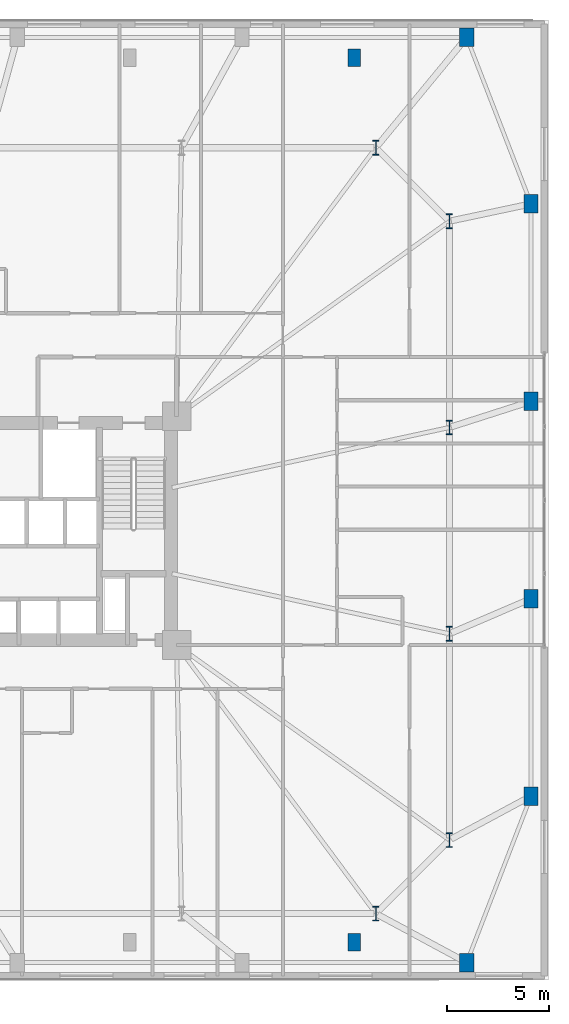
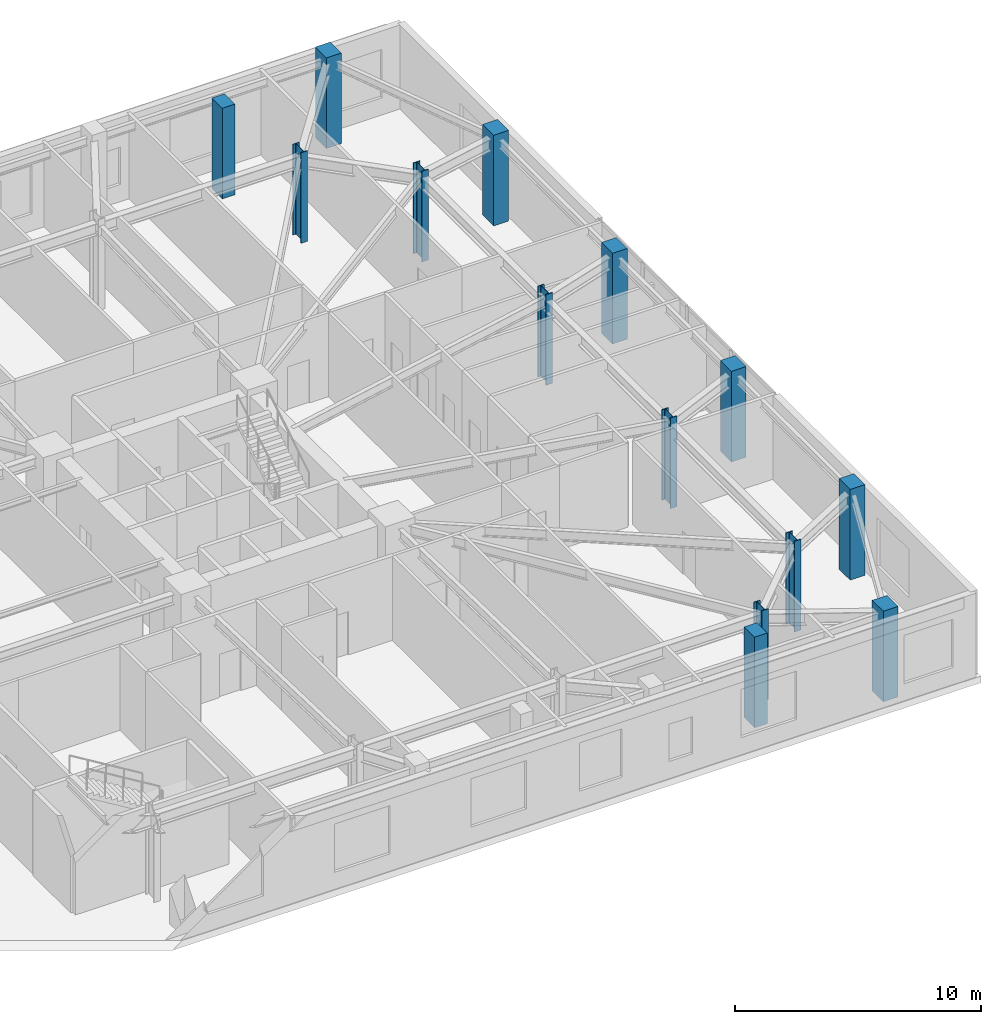
# One storey, part 3 of 21: 14 columns.
"""IFC4 building model written with IfcOpenShell, lengths in metres."""

from ifc_helpers import new_model, si_unit, direction, frame, origin, origin_2d, place, context, subcontext, project, spatial, rectangle, i_section, extrude, material, material_profile, profile_set, type_object, element, save


model = new_model("IFC4")

# Units and contexts
model_context = context("Model", 3, precision=1e-05, world=origin(), true_north=direction((0.0, 1.0)))
body_context = subcontext(model_context, "Body", "Model", "MODEL_VIEW")
ifc_project = project(units=[si_unit("LENGTHUNIT", "METRE"), si_unit("AREAUNIT", "SQUARE_METRE"), si_unit("VOLUMEUNIT", "CUBIC_METRE"), si_unit("PLANEANGLEUNIT", "RADIAN"), si_unit("MASSUNIT", "GRAM", prefix="KILO")], contexts=[model_context])

# Site, building, storey
site_placement = place(None, origin())
site = spatial("IfcSite", under=ifc_project, at=site_placement, CompositionType="ELEMENT")
building_placement = place(site_placement, origin())
building = spatial("IfcBuilding", under=site, at=building_placement, Name="Qobustan Lattice House", CompositionType="ELEMENT")
storey_placement = place(building_placement, frame((0.0, 0.0, 18.0)))
storey = spatial("IfcBuildingStorey", under=building, at=storey_placement, Name="L04", CompositionType="ELEMENT", Elevation=18.0)

# Columns
ifc_material_1 = material(Name="Concrete C50/60", Category="concrete")
ifc_material_profile_1 = material_profile(ifc_material_1, rectangle(XDim=0.60009765625, YDim=0.85009765625, at=origin_2d()), Name="RC600x850")
ifc_profile_set_1 = profile_set([ifc_material_profile_1], Name="Concrete C50/60")
column_type_1 = type_object("IfcColumnType", Name="COL-PIL-600x850", PredefinedType="PILASTER", material=ifc_profile_set_1)
for number, where, z_axis, x_axis, name in (
    (1, (27.5, -20.14990234375, 0.0), (0.0, 0.0, 1.0), (1.0, 0.0, 0.0), "L04 colonnade pilaster S4"),
    (2, (27.5, 23.14990234375, 0.0), (0.0, 0.0, 1.0), (1.0, 0.0, 0.0), "L04 colonnade pilaster N4"),
):
    element("IfcColumn", number, at=place(storey_placement, frame(where, z_axis=z_axis, x_axis=x_axis)), inside=storey, type_object=column_type_1, Name=name, PredefinedType="PILASTER", context=body_context, shape_type="SweptSolid", body=[
        extrude(rectangle(XDim=0.60009765625, YDim=0.85009765625, at=origin_2d()), origin(), (0.0, 0.0, 1.0), 4.5),
    ])
ifc_material_2 = material(Name="Concrete C50/60", Category="concrete")
ifc_material_profile_2 = material_profile(ifc_material_2, rectangle(XDim=0.699951171875, YDim=0.89990234375, at=origin_2d()), Name="RC700x900")
ifc_profile_set_2 = profile_set([ifc_material_profile_2], Name="Concrete C50/60")
column_type_2 = type_object("IfcColumnType", Name="COL-RC-700x900", PredefinedType="COLUMN", material=ifc_profile_set_2)
for number, where, z_axis, x_axis, name in (
    (3, (33.0, -21.14990234375, 0.0), (0.0, 0.0, 1.0), (1.0, 0.0, 0.0), "L04 podium column PS7"),
    (4, (33.0, 24.14990234375, 0.0), (0.0, 0.0, 1.0), (1.0, 0.0, 0.0), "L04 podium column PN7"),
    (5, (36.14990234375, -13.0, 0.0), (0.0, 0.0, 1.0), (1.0, 0.0, 0.0), "L04 podium column PE1"),
    (6, (36.14990234375, -3.333251953125, 0.0), (0.0, 0.0, 1.0), (1.0, 0.0, 0.0), "L04 podium column PE2"),
    (7, (36.14990234375, 6.33349609375, 0.0), (0.0, 0.0, 1.0), (1.0, 0.0, 0.0), "L04 podium column PE3"),
    (8, (36.14990234375, 16.0, 0.0), (0.0, 0.0, 1.0), (1.0, 0.0, 0.0), "L04 podium column PE4"),
):
    element("IfcColumn", number, at=place(storey_placement, frame(where, z_axis=z_axis, x_axis=x_axis)), inside=storey, type_object=column_type_2, Name=name, PredefinedType="COLUMN", context=body_context, shape_type="SweptSolid", body=[
        extrude(rectangle(XDim=0.699951171875, YDim=0.89990234375, at=origin_2d()), origin(), (0.0, 0.0, 1.0), 4.5),
    ])
ifc_material_3 = material(Name="Steel S460", Category="steel")
ifc_material_profile_3 = material_profile(ifc_material_3, i_section(OverallWidth=0.303955078125, OverallDepth=0.716064453125, WebThickness=0.02099609375, FlangeThickness=0.0400390625, FilletRadius=0.027099609375, at=origin_2d()), Name="HEM700")
ifc_profile_set_3 = profile_set([ifc_material_profile_3], Name="Steel S460")
column_type_3 = type_object("IfcColumnType", Name="COL-ST-HEM700", PredefinedType="COLUMN", material=ifc_profile_set_3)
for number, where, z_axis, x_axis, name in (
    (9, (28.550048828125, -18.75, 0.0), (0.0, 0.0, 1.0), (1.0, 0.0, 0.0), "L04 tower base column S7"),
    (10, (28.550048828125, 18.75, 0.0), (0.0, 0.0, 1.0), (1.0, 0.0, 0.0), "L04 tower base column N1"),
    (11, (32.14990234375, -15.14990234375, 0.0), (0.0, 0.0, 1.0), (1.0, 0.0, 0.0), "L04 tower base column E1"),
    (12, (32.14990234375, -5.050048828125, 0.0), (0.0, 0.0, 1.0), (1.0, 0.0, 0.0), "L04 tower base column E2"),
    (13, (32.14990234375, 5.050048828125, 0.0), (0.0, 0.0, 1.0), (1.0, 0.0, 0.0), "L04 tower base column E3"),
    (14, (32.14990234375, 15.14990234375, 0.0), (0.0, 0.0, 1.0), (1.0, 0.0, 0.0), "L04 tower base column E4"),
):
    element("IfcColumn", number, at=place(storey_placement, frame(where, z_axis=z_axis, x_axis=x_axis)), inside=storey, type_object=column_type_3, Name=name, PredefinedType="COLUMN", context=body_context, shape_type="SweptSolid", body=[
        extrude(i_section(OverallWidth=0.303955078125, OverallDepth=0.716064453125, WebThickness=0.02099609375, FlangeThickness=0.0400390625, FilletRadius=0.027099609375, at=origin_2d()), origin(), (0.0, 0.0, 1.0), 4.5),
    ])

save(model, "model.ifc")
